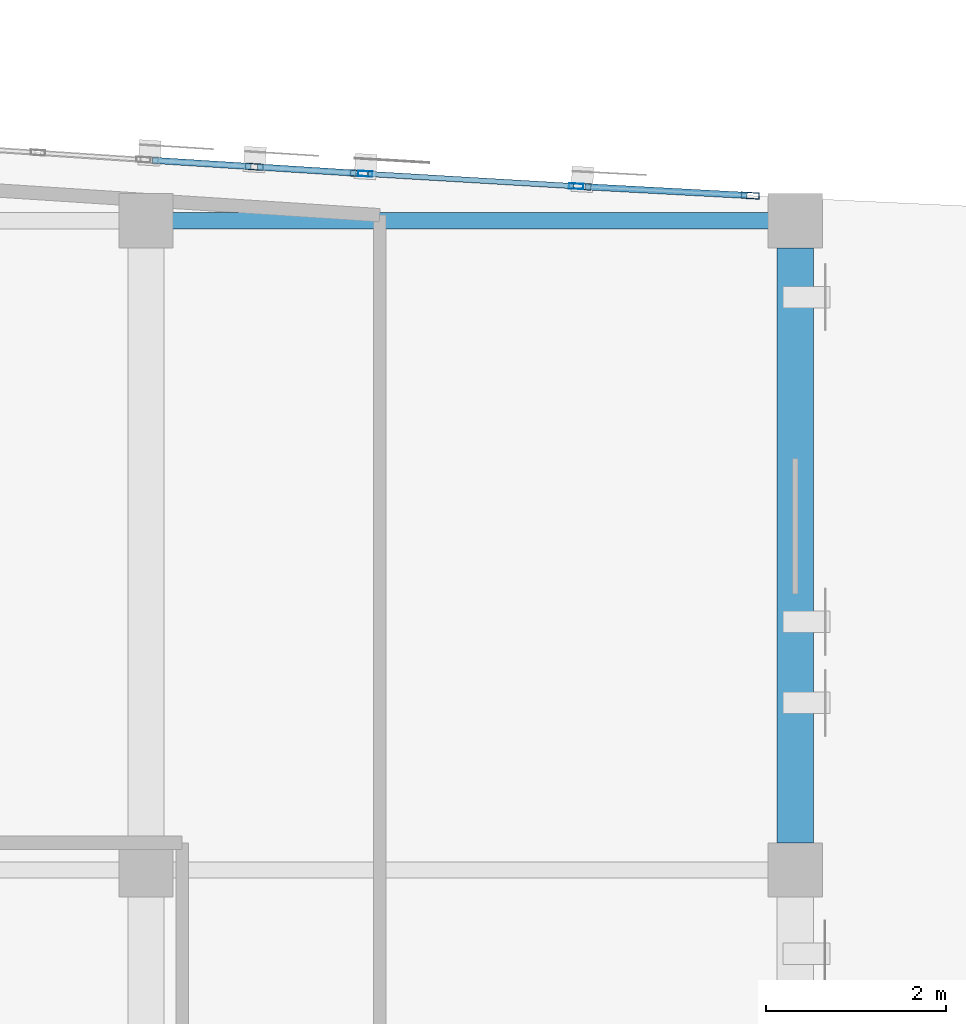
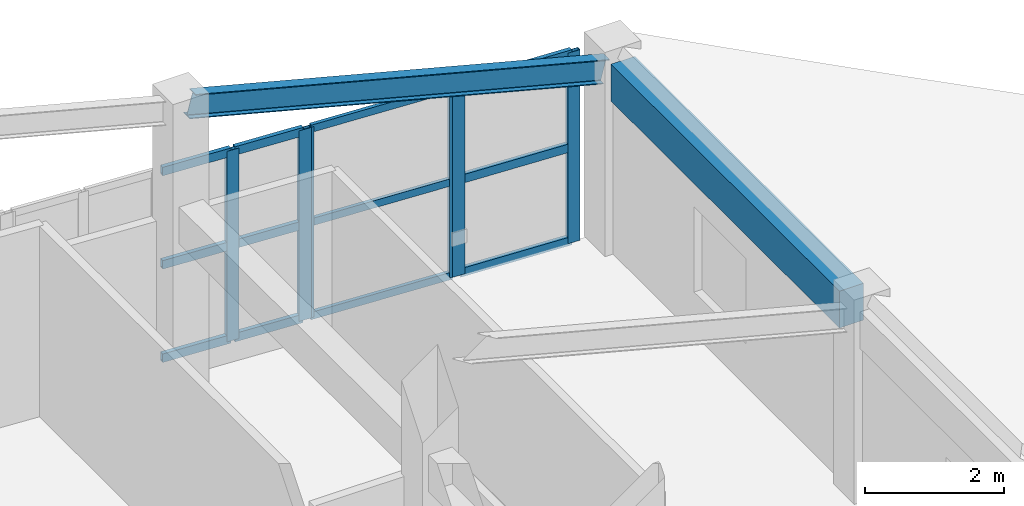
# One storey, part 27 of 45: 18 members, 2 beams, 3 elements without a shape of their own.
"""IFC4 building model written with IfcOpenShell, lengths in metres."""

from ifc_helpers import new_model, si_unit, direction, frame, origin, origin_2d, place, context, subcontext, project, spatial, rectangle, hollow_rectangle, i_section, extrude, material, layer, layer_set, material_profile, profile_set, type_object, element, aggregate, save


model = new_model("IFC4")

# Units and contexts
model_context = context("Model", 3, precision=1e-05, world=origin(), true_north=direction((0.0, 1.0)))
body_context = subcontext(model_context, "Body", "Model", "MODEL_VIEW")
ifc_project = project(units=[si_unit("LENGTHUNIT", "METRE"), si_unit("AREAUNIT", "SQUARE_METRE"), si_unit("VOLUMEUNIT", "CUBIC_METRE"), si_unit("PLANEANGLEUNIT", "RADIAN"), si_unit("MASSUNIT", "GRAM", prefix="KILO")], contexts=[model_context])

# Site, building, storey
site_placement = place(None, origin())
site = spatial("IfcSite", under=ifc_project, at=site_placement, CompositionType="ELEMENT")
building_placement = place(site_placement, origin())
building = spatial("IfcBuilding", under=site, at=building_placement, Name="Carrowvane Square Congress Hotel", CompositionType="ELEMENT")
storey_placement = place(building_placement, frame((0.0, 0.0, 33.60009765625)))
storey = spatial("IfcBuildingStorey", under=building, at=storey_placement, Name="L08", CompositionType="ELEMENT", Elevation=33.60009765625)

# Beams
ifc_material_1 = material(Name="Concrete C35/45", Category="concrete")
ifc_material_profile_1 = material_profile(ifc_material_1, rectangle(XDim=0.39990234375, YDim=0.64990234375, at=origin_2d()), Name="RC 400x650")
ifc_profile_set_1 = profile_set([ifc_material_profile_1], Name="Concrete C35/45")
beam_type_1 = type_object("IfcBeamType", Name="BM-RC-400x650", PredefinedType="BEAM", material=ifc_profile_set_1)
beam_1_placement = place(storey_placement, frame((155.60009765625, 106.5, 3.034912109375), z_axis=(0.0, 1.0, 0.0), x_axis=(-1.0, 0.0, 0.0)))
element("IfcBeam", 1, at=beam_1_placement, inside=storey, type_object=beam_type_1, Name="L09 girder 21/Q-R", PredefinedType="BEAM", context=body_context, shape_type="SweptSolid", body=[
    extrude(rectangle(XDim=0.39990234375, YDim=0.64990234375, at=origin_2d()), origin(), (0.0, 0.0, 1.0), 6.60009765625),
])
ifc_material_2 = material(Name="Steel S355", Category="steel")
ifc_material_profile_2 = material_profile(ifc_material_2, i_section(OverallWidth=0.1787109375, OverallDepth=0.409423828125, WebThickness=0.0087890625, FlangeThickness=0.014404296875, FilletRadius=0.01025390625, at=origin_2d()), Name="UKB 406x178x67")
ifc_profile_set_2 = profile_set([ifc_material_profile_2], Name="Steel S355")
beam_type_2 = type_object("IfcBeamType", Name="BM-ST-UKB406", PredefinedType="BEAM", material=ifc_profile_set_2)
beam_2_placement = place(storey_placement, frame((148.550048828125, 113.39990234375, 4.8798828125), z_axis=(0.967614727274, 0.0, -0.252431653251), x_axis=(0.0, 1.0, 0.0)))
element("IfcBeam", 2, at=beam_2_placement, inside=storey, type_object=beam_type_2, Name="L08 shallow-arc roof rafter 32", PredefinedType="BEAM", context=body_context, shape_type="SweptSolid", body=[
    extrude(i_section(OverallWidth=0.1787109375, OverallDepth=0.409423828125, WebThickness=0.0087890625, FlangeThickness=0.014404296875, FilletRadius=0.01025390625, at=origin_2d()), origin(), (0.0, 0.0, 1.0), 7.130859375),
])

# Curtain wall, members
ifc_material_3 = material(Name="Anodised aluminium", Category="aluminium")
ifc_layer_1 = layer(ifc_material_3, 0.162109375)
ifc_layer_set_1 = layer_set([ifc_layer_1], Name="Anodised aluminium")
curtain_wall_type_1 = type_object("IfcCurtainWallType", Name="CW-SYS-1", PredefinedType="NOTDEFINED", material=ifc_layer_set_1)
curtain_wall_1_placement = place(storey_placement, origin())
curtain_wall_1 = element("IfcCurtainWall", 3, at=curtain_wall_1_placement, inside=storey, type_object=curtain_wall_type_1, Name="L08 unitised curtain wall 504", PredefinedType="NOTDEFINED")
ifc_material_4 = material(Name="Anodised aluminium", Category="aluminium")
ifc_material_profile_3 = material_profile(ifc_material_4, hollow_rectangle(XDim=0.06005859375, YDim=0.159912109375, WallThickness=0.00390625, at=origin_2d()), Name="CW-ML 60x160x4")
ifc_profile_set_3 = profile_set([ifc_material_profile_3], Name="Anodised aluminium")
member_type_1 = type_object("IfcMemberType", Name="CW-MUL-1", PredefinedType="MULLION", material=ifc_profile_set_3)
member_1_placement = place(storey_placement, frame((150.829833984375, 113.92138671875, 0.0), z_axis=(0.0, 0.0, 1.0), x_axis=(0.058988522254, 0.99825866099, 0.0)))
member_1 = element("IfcMember", 4, at=member_1_placement, type_object=member_type_1, Name="CW-1 mullion 1", PredefinedType="MULLION", context=body_context, shape_type="SweptSolid", body=[
    extrude(hollow_rectangle(XDim=0.06005859375, YDim=0.159912109375, WallThickness=0.00390625, at=origin_2d()), origin(), (0.0, 0.0, 1.0), 3.35986328125),
])
member_2_placement = place(storey_placement, frame((153.170166015625, 113.783203125, 0.0), z_axis=(0.0, 0.0, 1.0), x_axis=(0.058988522254, 0.99825866099, 0.0)))
member_2 = element("IfcMember", 5, at=member_2_placement, type_object=member_type_1, Name="CW-1 mullion 2", PredefinedType="MULLION", context=body_context, shape_type="SweptSolid", body=[
    extrude(hollow_rectangle(XDim=0.06005859375, YDim=0.159912109375, WallThickness=0.00390625, at=origin_2d()), origin(), (0.0, 0.0, 1.0), 3.35986328125),
])

ifc_material_5 = material(Name="Anodised aluminium", Category="aluminium")
ifc_layer_2 = layer(ifc_material_5, 0.24609375)
ifc_layer_set_2 = layer_set([ifc_layer_2], Name="Anodised aluminium")
curtain_wall_type_2 = type_object("IfcCurtainWallType", Name="CW-SYS-8", PredefinedType="NOTDEFINED", material=ifc_layer_set_2)
curtain_wall_2_placement = place(storey_placement, origin())
curtain_wall_2 = element("IfcCurtainWall", 6, at=curtain_wall_2_placement, inside=storey, type_object=curtain_wall_type_2, Name="L08 unitised curtain wall 503", PredefinedType="NOTDEFINED")
ifc_material_6 = material(Name="Anodised aluminium", Category="aluminium")
ifc_material_profile_4 = material_profile(ifc_material_6, hollow_rectangle(XDim=0.070068359375, YDim=0.199951171875, WallThickness=0.0048828125, at=origin_2d()), Name="CW-ML 70x200x5")
ifc_profile_set_4 = profile_set([ifc_material_profile_4], Name="Anodised aluminium")
member_type_2 = type_object("IfcMemberType", Name="CW-MUL-2", PredefinedType="MULLION", material=ifc_profile_set_4)
member_3_placement = place(storey_placement, frame((149.60009765625, 113.999267578125, 0.0), z_axis=(0.0, 0.0, 1.0), x_axis=(0.063273487972, 0.997996225303, 0.0)))
member_3 = element("IfcMember", 7, at=member_3_placement, type_object=member_type_2, Name="CW-8 mullion 2", PredefinedType="MULLION", context=body_context, shape_type="SweptSolid", body=[
    extrude(hollow_rectangle(XDim=0.070068359375, YDim=0.199951171875, WallThickness=0.0048828125, at=origin_2d()), origin(), (0.0, 0.0, 1.0), 3.35986328125),
])
member_4_placement = place(storey_placement, frame((150.76513671875, 113.92529296875, 0.0), z_axis=(0.0, 0.0, 1.0), x_axis=(0.063273487972, 0.997996225303, 0.0)))
member_4 = element("IfcMember", 8, at=member_4_placement, type_object=member_type_2, Name="CW-8 mullion 3", PredefinedType="MULLION", context=body_context, shape_type="SweptSolid", body=[
    extrude(hollow_rectangle(XDim=0.070068359375, YDim=0.199951171875, WallThickness=0.0048828125, at=origin_2d()), origin(), (0.0, 0.0, 1.0), 3.35986328125),
])

ifc_material_7 = material(Name="Anodised aluminium", Category="aluminium")
ifc_layer_3 = layer(ifc_material_7, 0.174072265625)
ifc_layer_set_3 = layer_set([ifc_layer_3], Name="Anodised aluminium")
curtain_wall_type_3 = type_object("IfcCurtainWallType", Name="CW-SYS-2", PredefinedType="NOTDEFINED", material=ifc_layer_set_3)
curtain_wall_3_placement = place(storey_placement, origin())
curtain_wall_3 = element("IfcCurtainWall", 9, at=curtain_wall_3_placement, inside=storey, type_object=curtain_wall_type_3, Name="L08 unitised curtain wall 505", PredefinedType="NOTDEFINED")
member_5_placement = place(storey_placement, frame((153.23486328125, 113.779541015625, 0.0), z_axis=(0.0, 0.0, 1.0), x_axis=(0.053516203185, 0.998566981227, 0.0)))
member_5 = element("IfcMember", 10, at=member_5_placement, type_object=member_type_2, Name="CW-2 mullion 1", PredefinedType="MULLION", context=body_context, shape_type="SweptSolid", body=[
    extrude(hollow_rectangle(XDim=0.070068359375, YDim=0.199951171875, WallThickness=0.0048828125, at=origin_2d()), origin(), (0.0, 0.0, 1.0), 3.35986328125),
])
member_6_placement = place(storey_placement, frame((155.101806640625, 113.679443359375, 0.0), z_axis=(0.0, 0.0, 1.0), x_axis=(0.053516203185, 0.998566981227, 0.0)))
member_6 = element("IfcMember", 11, at=member_6_placement, type_object=member_type_2, Name="CW-2 mullion 2", PredefinedType="MULLION", context=body_context, shape_type="SweptSolid", body=[
    extrude(hollow_rectangle(XDim=0.070068359375, YDim=0.199951171875, WallThickness=0.0048828125, at=origin_2d()), origin(), (0.0, 0.0, 1.0), 3.35986328125),
])

# Member
ifc_material_8 = material(Name="Anodised aluminium", Category="aluminium")
ifc_material_profile_5 = material_profile(ifc_material_8, hollow_rectangle(XDim=0.06005859375, YDim=0.1298828125, WallThickness=0.00390625, at=origin_2d()), Name="CW-TR 60x130x4")
ifc_profile_set_5 = profile_set([ifc_material_profile_5], Name="Anodised aluminium")
member_type_3 = type_object("IfcMemberType", Name="CW-TRN-1", PredefinedType="USERDEFINED", material=ifc_profile_set_5)
member_7_placement = place(storey_placement, frame((150.85986328125, 113.919677734375, 0.02978515625), z_axis=(0.998258118852, -0.058997696103, 0.0), x_axis=(0.058997696103, 0.998258118852, 0.0)))
member_7 = element("IfcMember", 12, at=member_7_placement, type_object=member_type_3, Name="CW-1 transom 1.1", ObjectType="TRANSOM", PredefinedType="USERDEFINED", context=body_context, shape_type="SweptSolid", body=[
    extrude(hollow_rectangle(XDim=0.06005859375, YDim=0.1298828125, WallThickness=0.00390625, at=origin_2d()), origin(), (0.0, 0.0, 1.0), 2.2841796875),
])

member_8_placement = place(storey_placement, frame((150.85986328125, 113.919677734375, 1.679931640625), z_axis=(0.998258118852, -0.058997696103, 0.0), x_axis=(0.058997696103, 0.998258118852, 0.0)))
member_8 = element("IfcMember", 13, at=member_8_placement, type_object=member_type_3, Name="CW-1 transom 1.2", ObjectType="TRANSOM", PredefinedType="USERDEFINED", context=body_context, shape_type="SweptSolid", body=[
    extrude(hollow_rectangle(XDim=0.06005859375, YDim=0.1298828125, WallThickness=0.00390625, at=origin_2d()), origin(), (0.0, 0.0, 1.0), 2.2841796875),
])

member_9_placement = place(storey_placement, frame((150.85986328125, 113.919677734375, 3.329833984375), z_axis=(0.998258118852, -0.058997696103, 0.0), x_axis=(0.058997696103, 0.998258118852, 0.0)))
member_9 = element("IfcMember", 14, at=member_9_placement, type_object=member_type_3, Name="CW-1 transom 1.3", ObjectType="TRANSOM", PredefinedType="USERDEFINED", context=body_context, shape_type="SweptSolid", body=[
    extrude(hollow_rectangle(XDim=0.06005859375, YDim=0.1298828125, WallThickness=0.00390625, at=origin_2d()), origin(), (0.0, 0.0, 1.0), 2.2841796875),
])

aggregate(curtain_wall_1, [member_1, member_2, member_7, member_8, member_9])

ifc_material_9 = material(Name="Anodised aluminium", Category="aluminium")
ifc_material_profile_6 = material_profile(ifc_material_9, hollow_rectangle(XDim=0.070068359375, YDim=0.14990234375, WallThickness=0.0048828125, at=origin_2d()), Name="CW-TR 70x150x5")
ifc_profile_set_6 = profile_set([ifc_material_profile_6], Name="Anodised aluminium")
member_type_4 = type_object("IfcMemberType", Name="CW-TRN-2", PredefinedType="USERDEFINED", material=ifc_profile_set_6)
member_10_placement = place(storey_placement, frame((148.469970703125, 114.07080078125, 0.034912109375), z_axis=(0.998001159497, -0.063195614113, 0.0), x_axis=(0.063195614113, 0.998001159497, 0.0)))
member_10 = element("IfcMember", 15, at=member_10_placement, type_object=member_type_4, Name="CW-8 transom 1.1", ObjectType="TRANSOM", PredefinedType="USERDEFINED", context=body_context, shape_type="SweptSolid", body=[
    extrude(hollow_rectangle(XDim=0.070068359375, YDim=0.14990234375, WallThickness=0.0048828125, at=origin_2d()), origin(), (0.0, 0.0, 1.0), 1.09716796875),
])

member_11_placement = place(storey_placement, frame((148.469970703125, 114.07080078125, 1.679931640625), z_axis=(0.998001159497, -0.063195614113, 0.0), x_axis=(0.063195614113, 0.998001159497, 0.0)))
member_11 = element("IfcMember", 16, at=member_11_placement, type_object=member_type_4, Name="CW-8 transom 1.2", ObjectType="TRANSOM", PredefinedType="USERDEFINED", context=body_context, shape_type="SweptSolid", body=[
    extrude(hollow_rectangle(XDim=0.070068359375, YDim=0.14990234375, WallThickness=0.0048828125, at=origin_2d()), origin(), (0.0, 0.0, 1.0), 1.09716796875),
])

member_12_placement = place(storey_placement, frame((148.469970703125, 114.07080078125, 3.324951171875), z_axis=(0.998001159497, -0.063195614113, 0.0), x_axis=(0.063195614113, 0.998001159497, 0.0)))
member_12 = element("IfcMember", 17, at=member_12_placement, type_object=member_type_4, Name="CW-8 transom 1.3", ObjectType="TRANSOM", PredefinedType="USERDEFINED", context=body_context, shape_type="SweptSolid", body=[
    extrude(hollow_rectangle(XDim=0.070068359375, YDim=0.14990234375, WallThickness=0.0048828125, at=origin_2d()), origin(), (0.0, 0.0, 1.0), 1.09716796875),
])

member_13_placement = place(storey_placement, frame((149.635009765625, 113.9970703125, 0.034912109375), z_axis=(0.997987995528, -0.063403160661, 0.0), x_axis=(0.063403160661, 0.997987995528, 0.0)))
member_13 = element("IfcMember", 18, at=member_13_placement, type_object=member_type_4, Name="CW-8 transom 2.1", ObjectType="TRANSOM", PredefinedType="USERDEFINED", context=body_context, shape_type="SweptSolid", body=[
    extrude(hollow_rectangle(XDim=0.070068359375, YDim=0.14990234375, WallThickness=0.0048828125, at=origin_2d()), origin(), (0.0, 0.0, 1.0), 1.097412109375),
])

member_14_placement = place(storey_placement, frame((149.635009765625, 113.9970703125, 1.679931640625), z_axis=(0.997987995528, -0.063403160661, 0.0), x_axis=(0.063403160661, 0.997987995528, 0.0)))
member_14 = element("IfcMember", 19, at=member_14_placement, type_object=member_type_4, Name="CW-8 transom 2.2", ObjectType="TRANSOM", PredefinedType="USERDEFINED", context=body_context, shape_type="SweptSolid", body=[
    extrude(hollow_rectangle(XDim=0.070068359375, YDim=0.14990234375, WallThickness=0.0048828125, at=origin_2d()), origin(), (0.0, 0.0, 1.0), 1.097412109375),
])

member_15_placement = place(storey_placement, frame((149.635009765625, 113.9970703125, 3.324951171875), z_axis=(0.997987995528, -0.063403160661, 0.0), x_axis=(0.063403160661, 0.997987995528, 0.0)))
member_15 = element("IfcMember", 20, at=member_15_placement, type_object=member_type_4, Name="CW-8 transom 2.3", ObjectType="TRANSOM", PredefinedType="USERDEFINED", context=body_context, shape_type="SweptSolid", body=[
    extrude(hollow_rectangle(XDim=0.070068359375, YDim=0.14990234375, WallThickness=0.0048828125, at=origin_2d()), origin(), (0.0, 0.0, 1.0), 1.097412109375),
])

aggregate(curtain_wall_2, [member_3, member_4, member_10, member_11, member_12, member_13, member_14, member_15])

member_16_placement = place(storey_placement, frame((153.27001953125, 113.777587890625, 0.034912109375), z_axis=(0.998570202242, -0.053456067892, 0.0), x_axis=(0.053456067892, 0.998570202242, 0.0)))
member_16 = element("IfcMember", 21, at=member_16_placement, type_object=member_type_4, Name="CW-2 transom 1.1", ObjectType="TRANSOM", PredefinedType="USERDEFINED", context=body_context, shape_type="SweptSolid", body=[
    extrude(hollow_rectangle(XDim=0.070068359375, YDim=0.14990234375, WallThickness=0.0048828125, at=origin_2d()), origin(), (0.0, 0.0, 1.0), 1.799560546875),
])

member_17_placement = place(storey_placement, frame((153.27001953125, 113.777587890625, 1.679931640625), z_axis=(0.998570202242, -0.053456067892, 0.0), x_axis=(0.053456067892, 0.998570202242, 0.0)))
member_17 = element("IfcMember", 22, at=member_17_placement, type_object=member_type_4, Name="CW-2 transom 1.2", ObjectType="TRANSOM", PredefinedType="USERDEFINED", context=body_context, shape_type="SweptSolid", body=[
    extrude(hollow_rectangle(XDim=0.070068359375, YDim=0.14990234375, WallThickness=0.0048828125, at=origin_2d()), origin(), (0.0, 0.0, 1.0), 1.799560546875),
])

member_18_placement = place(storey_placement, frame((153.27001953125, 113.777587890625, 3.324951171875), z_axis=(0.998570202242, -0.053456067892, 0.0), x_axis=(0.053456067892, 0.998570202242, 0.0)))
member_18 = element("IfcMember", 23, at=member_18_placement, type_object=member_type_4, Name="CW-2 transom 1.3", ObjectType="TRANSOM", PredefinedType="USERDEFINED", context=body_context, shape_type="SweptSolid", body=[
    extrude(hollow_rectangle(XDim=0.070068359375, YDim=0.14990234375, WallThickness=0.0048828125, at=origin_2d()), origin(), (0.0, 0.0, 1.0), 1.799560546875),
])

aggregate(curtain_wall_3, [member_5, member_6, member_16, member_17, member_18])

save(model, "model.ifc")
